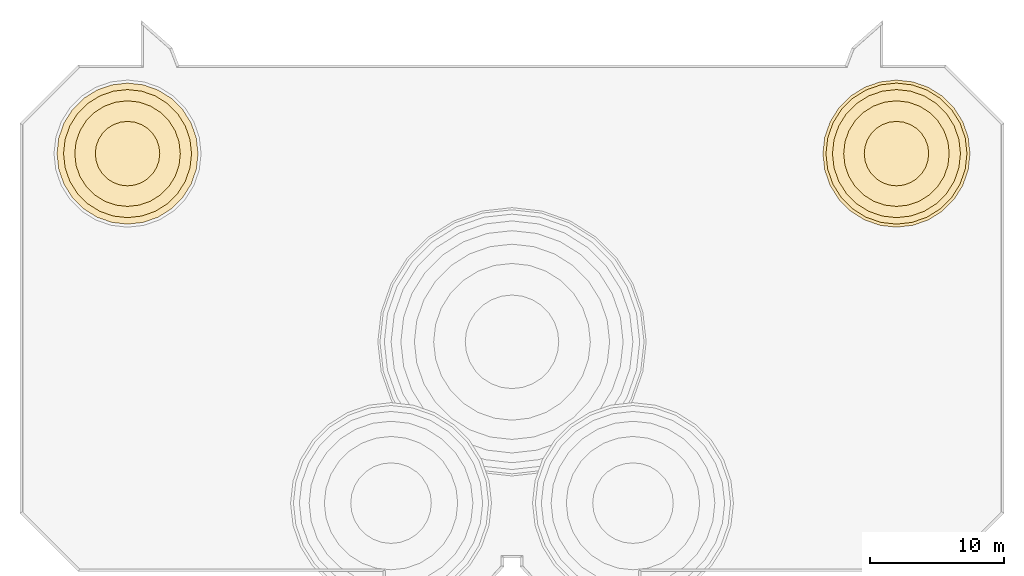
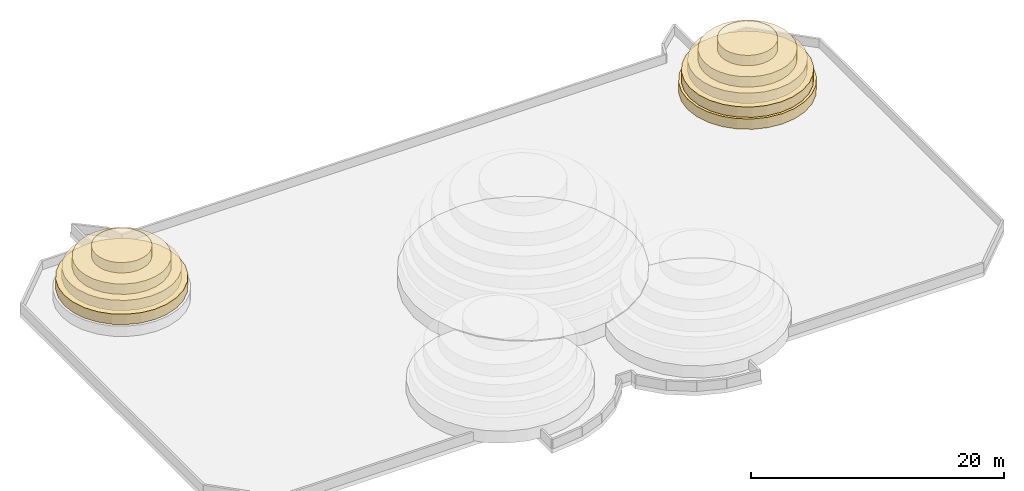
# One storey, part 3 of 3: 9 coverings.
"""IFC4 building model written with IfcOpenShell, lengths in metres."""

import ifcopenshell
import ifcopenshell.guid

model = None  # the IFC model being written
_history = None  # IfcOwnerHistory: only IFC2X3 demands one
_inside = {}  # id of a spatial element -> (the spatial element, [elements in it])
_under = {}  # id of a project, library or spatial element -> (it, [spatial elements below it])
_declared = {}  # id of a project -> (the project, [libraries it declares])
_typed = {}  # id of a type object -> (the type object, [elements of that type])
_made_of = {}  # id of a material, layer set ... -> (it, [elements and type objects made of it])


def new_model(schema):
    """Start an empty IFC model of exactly this schema.

    Asked for "IFC4X3", IfcOpenShell would pick the latest addendum, in which some entities
    have other attributes; the version numbers below select the first issue.
    IFC2X3 requires an IfcOwnerHistory on every rooted entity: one is made here for all.
    """
    global model, _history
    if schema == "IFC4X3":
        model = ifcopenshell.file(schema_version=(4, 3, 0, 0))
    else:
        model = ifcopenshell.file(schema=schema)
    _inside.clear()
    _under.clear()
    _declared.clear()
    _typed.clear()
    _made_of.clear()
    _history = None
    if model.schema == "IFC2X3":
        org = make("IfcOrganization", Name="unknown")
        user = make(
            "IfcPersonAndOrganization",
            ThePerson=make("IfcPerson", FamilyName="unknown"),
            TheOrganization=org,
        )
        app = make(
            "IfcApplication",
            ApplicationDeveloper=org,
            Version="unknown",
            ApplicationFullName="unknown",
            ApplicationIdentifier="unknown",
        )
        _history = make(
            "IfcOwnerHistory",
            OwningUser=user,
            OwningApplication=app,
            ChangeAction="ADDED",
            CreationDate=0,
        )
    return model


def make(cls, **values):
    """One entity of the class cls with the attributes given. An attribute that is None is left unset."""
    return model.create_entity(
        cls, **{name: value for name, value in values.items() if value is not None}
    )


def rooted(cls, **values):
    """An entity with a GlobalId (a new one), such as an element, a storey or a relation."""
    return make(cls, GlobalId=ifcopenshell.guid.new(), OwnerHistory=_history, **values)


def si_unit(unit_type, name, prefix=None):
    """IfcSIUnit, for example si_unit("LENGTHUNIT", "METRE", prefix="MILLI")."""
    return make("IfcSIUnit", UnitType=unit_type, Prefix=prefix, Name=name)


def assignment(units):
    """IfcUnitAssignment: the units of a project."""
    return None if units is None else make("IfcUnitAssignment", Units=units)


def point(xyz):
    """IfcCartesianPoint."""
    return None if xyz is None else make("IfcCartesianPoint", Coordinates=xyz)


def direction(xyz):
    """IfcDirection."""
    return None if xyz is None else make("IfcDirection", DirectionRatios=xyz)


def frame(location, z_axis=None, x_axis=None):
    """IfcAxis2Placement3D, a coordinate frame: its origin and axes. An axis left out is left unset."""
    return make(
        "IfcAxis2Placement3D",
        Location=point(location),
        Axis=direction(z_axis),
        RefDirection=direction(x_axis),
    )


def origin():
    """The frame at (0, 0, 0) with its axes left unset."""
    return frame((0.0, 0.0, 0.0))


def place(relative_to, where):
    """IfcLocalPlacement: puts the frame where relative to a parent placement (None: the world)."""
    return make(
        "IfcLocalPlacement", PlacementRelTo=relative_to, RelativePlacement=where
    )


def context(
    kind, dimensions, precision=None, world=None, true_north=None, identifier=None
):
    """IfcGeometricRepresentationContext, for example the 3D "Model" context."""
    return make(
        "IfcGeometricRepresentationContext",
        ContextIdentifier=identifier,
        ContextType=kind,
        CoordinateSpaceDimension=dimensions,
        Precision=precision,
        WorldCoordinateSystem=world,
        TrueNorth=true_north,
    )


def subcontext(parent, identifier, kind, view, scale=None):
    """IfcGeometricRepresentationSubContext, for example "Body" below "Model"."""
    return make(
        "IfcGeometricRepresentationSubContext",
        ContextIdentifier=identifier,
        ContextType=kind,
        ParentContext=parent,
        TargetScale=scale,
        TargetView=view,
    )


def project(units=None, contexts=None):
    """IfcProject with its units and contexts."""
    return rooted(
        "IfcProject",
        Name="project",
        RepresentationContexts=contexts,
        UnitsInContext=assignment(units),
    )


def spatial(cls, under=None, at=None, **own):
    """A site, building, storey or space (cls), placed at a placement, below another one or the project."""
    s = rooted(cls, ObjectPlacement=at, **own)
    if under is not None:
        _under.setdefault(under.id(), (under, []))[1].append(s)
    return s


def polyline(points):
    """IfcPolyline through the points."""
    return make("IfcPolyline", Points=[point(p) for p in points])


def outline(outer, holes=None, kind="AREA"):
    """IfcArbitraryClosedProfileDef: a profile drawn as a closed curve; with holes, ...WithVoids."""
    if holes is None:
        return make("IfcArbitraryClosedProfileDef", ProfileType=kind, OuterCurve=outer)
    return make(
        "IfcArbitraryProfileDefWithVoids",
        ProfileType=kind,
        OuterCurve=outer,
        InnerCurves=holes,
    )


def extrude(swept, where, along, depth):
    """IfcExtrudedAreaSolid: the profile swept, set in the frame where, extruded along a direction by depth."""
    return make(
        "IfcExtrudedAreaSolid",
        SweptArea=swept,
        Position=where,
        ExtrudedDirection=direction(along),
        Depth=depth,
    )


def shape(context_of_items, identifier, shape_type, items):
    """IfcShapeRepresentation: the items that make up one representation, for example the "Body"."""
    return make(
        "IfcShapeRepresentation",
        ContextOfItems=context_of_items,
        RepresentationIdentifier=identifier,
        RepresentationType=shape_type,
        Items=items,
    )


def source(mapping_origin, context_of_items, identifier, shape_type, items):
    """IfcRepresentationMap: a shape defined once, which mapped items show again and again."""
    return make(
        "IfcRepresentationMap",
        MappingOrigin=mapping_origin,
        MappedRepresentation=shape(context_of_items, identifier, shape_type, items),
    )


def transform(
    local_origin,
    x_axis=None,
    y_axis=None,
    z_axis=None,
    scale=None,
    scale2=None,
    scale3=None,
    uniform=True,
):
    """IfcCartesianTransformationOperator3D, or its non-uniform kind. x_axis, y_axis, z_axis: its Axis1, 2, 3."""
    if uniform:
        return make(
            "IfcCartesianTransformationOperator3D",
            Axis1=direction(x_axis),
            Axis2=direction(y_axis),
            LocalOrigin=point(local_origin),
            Scale=scale,
            Axis3=direction(z_axis),
        )
    return make(
        "IfcCartesianTransformationOperator3DnonUniform",
        Axis1=direction(x_axis),
        Axis2=direction(y_axis),
        LocalOrigin=point(local_origin),
        Scale=scale,
        Axis3=direction(z_axis),
        Scale2=scale2,
        Scale3=scale3,
    )


def mapped(mapping_source, mapping_target):
    """IfcMappedItem: shows the shape of a source again, moved by a transform."""
    return make(
        "IfcMappedItem", MappingSource=mapping_source, MappingTarget=mapping_target
    )


def material(Name=None, Category=None):
    """IfcMaterial."""
    return make("IfcMaterial", Name=Name, Category=Category)


def layer(
    of_material, thickness, ventilated=None, Name=None, Category=None, Priority=None
):
    """IfcMaterialLayer: one layer of a wall or slab, of a material (None: an air gap)."""
    return make(
        "IfcMaterialLayer",
        Material=of_material,
        LayerThickness=thickness,
        IsVentilated=ventilated,
        Name=Name,
        Category=Category,
        Priority=Priority,
    )


def layer_set(layers, Name=None):
    """IfcMaterialLayerSet."""
    return make("IfcMaterialLayerSet", MaterialLayers=layers, LayerSetName=Name)


def made_of(thing, what):
    """Note that an element or type object is made of a material, layer set ...; save() writes the relation."""
    if what is not None:
        _made_of.setdefault(what.id(), (what, []))[1].append(thing)
    return thing


def type_object(cls, material=None, **own):
    """A type object (cls), such as IfcWallType, which elements share."""
    return made_of(rooted(cls, **own), material)


def element(
    cls,
    number,
    at=None,
    inside=None,
    cuts=None,
    type_object=None,
    material=None,
    context=None,
    identifier="Body",
    shape_type=None,
    held_by="IfcProductDefinitionShape",
    body=None,
    shapes=None,
    **own,
):
    """One element of the class cls, such as IfcWall. Its Tag is "e" and its number.

    at: its placement. inside: the storey or other place that contains it. cuts: it is an
    opening in that element (IfcRelVoidsElement). A single representation is given by context,
    identifier, shape_type and body (its items); several are given by shapes. held_by: the class
    of the entity that holds the representations. save() writes the other relations.
    """
    e = rooted(cls, Tag="e%d" % number, ObjectPlacement=at, **own)
    if body is not None:
        shapes = [shape(context, identifier, shape_type, body)]
    if shapes is not None:
        e.Representation = make(held_by, Representations=shapes)
    if inside is not None:
        _inside.setdefault(inside.id(), (inside, []))[1].append(e)
    if cuts is not None:
        rooted(
            "IfcRelVoidsElement", RelatingBuildingElement=cuts, RelatedOpeningElement=e
        )
    if type_object is not None:
        _typed.setdefault(type_object.id(), (type_object, []))[1].append(e)
    return made_of(e, material)


def aggregate(whole, parts):
    """IfcRelAggregates: a whole, such as a stair, and the parts it consists of."""
    return rooted("IfcRelAggregates", RelatingObject=whole, RelatedObjects=parts)


def save(model, path):
    """Write the relations noted so far, then the file.

    IfcRelAggregates (storeys below a building ...), IfcRelContainedInSpatialStructure (elements
    in a storey), IfcRelDefinesByType, IfcRelAssociatesMaterial and IfcRelDeclares: one each for
    every whole, place, type object, material and project.
    """
    for whole, parts in _under.values():
        aggregate(whole, parts)
    for where, things in _inside.values():
        rooted(
            "IfcRelContainedInSpatialStructure",
            RelatedElements=things,
            RelatingStructure=where,
        )
    for kind, things in _typed.values():
        rooted("IfcRelDefinesByType", RelatedObjects=things, RelatingType=kind)
    for what, things in _made_of.values():
        rooted("IfcRelAssociatesMaterial", RelatedObjects=things, RelatingMaterial=what)
    for by, libraries in _declared.values():
        rooted("IfcRelDeclares", RelatingContext=by, RelatedDefinitions=libraries)
    model.write(path)


model = new_model("IFC4")

# Units and contexts
model_context = context("Model", 3, precision=1e-05, world=origin(), true_north=direction((0.0, 1.0)))
body_context = subcontext(model_context, "Body", "Model", "MODEL_VIEW")
ifc_project = project(units=[si_unit("LENGTHUNIT", "METRE"), si_unit("AREAUNIT", "SQUARE_METRE"), si_unit("VOLUMEUNIT", "CUBIC_METRE"), si_unit("PLANEANGLEUNIT", "RADIAN"), si_unit("MASSUNIT", "GRAM", prefix="KILO")], contexts=[model_context])

# Site, building, storey
site_placement = place(None, origin())
site = spatial("IfcSite", under=ifc_project, at=site_placement, CompositionType="ELEMENT")
building_placement = place(site_placement, origin())
building = spatial("IfcBuilding", under=site, at=building_placement, Name="Vanashikhar Sky Hotel", CompositionType="ELEMENT")
storey_placement = place(building_placement, frame((0.0, 0.0, 339.300048828125)))
storey = spatial("IfcBuildingStorey", under=building, at=storey_placement, Name="ROOF", CompositionType="ELEMENT", Elevation=339.300048828125)

# Coverings
ifc_material = material(Name="Terracotta roofing tile", Category="masonry")
ifc_layer = layer(ifc_material, 1.0)
ifc_layer_set = layer_set([ifc_layer], Name="Crown peak shell")
covering_type = type_object("IfcCoveringType", Name="Crown peak shell", PredefinedType="CLADDING", material=ifc_layer_set)
shared_shape_1 = source(origin(), body_context, "Body", "SweptSolid", [
    extrude(outline(polyline([(27.046630859375, 36.0), (26.9150390625, 37.16748046875), (26.527099609375, 38.2763671875), (25.902099609375, 39.271240234375), (25.0712890625, 40.10205078125), (24.076416015625, 40.72705078125), (22.967529296875, 41.114990234375), (21.800048828125, 41.24658203125), (20.632568359375, 41.114990234375), (19.523681640625, 40.72705078125), (18.52880859375, 40.10205078125), (17.697998046875, 39.271240234375), (17.072998046875, 38.2763671875), (16.684814453125, 37.16748046875), (16.55322265625, 36.0), (16.684814453125, 34.83251953125), (17.072998046875, 33.7236328125), (17.697998046875, 32.728759765625), (18.52880859375, 31.89794921875), (19.523681640625, 31.27294921875), (20.632568359375, 30.885009765625), (21.800048828125, 30.75341796875), (22.967529296875, 30.885009765625), (24.076416015625, 31.27294921875), (25.0712890625, 31.89794921875), (25.902099609375, 32.728759765625), (26.527099609375, 33.7236328125), (26.9150390625, 34.83251953125), (27.046630859375, 36.0)])), origin(), (0.0, 0.0, 1.0), 1.0),
])
covering_1_placement = place(storey_placement, frame((0.0, 0.0, 1.4599609375)))
element("IfcCovering", 1, at=covering_1_placement, inside=storey, type_object=covering_type, Name="Crown peak shell", PredefinedType="CLADDING", context=body_context, shape_type="MappedRepresentation", body=[
    mapped(shared_shape_1, transform((0.0, 0.0, 0.0), scale=1.0)),
])
shared_shape_2 = source(origin(), body_context, "Body", "SweptSolid", [
    extrude(outline(polyline([(26.56298828125, 36.0), (26.443603515625, 37.059814453125), (26.09130859375, 38.066650390625), (25.52392578125, 38.9697265625), (24.769775390625, 39.72412109375), (23.86669921875, 40.29150390625), (22.85986328125, 40.643798828125), (21.800048828125, 40.76318359375), (20.739990234375, 40.643798828125), (19.7333984375, 40.29150390625), (18.830078125, 39.72412109375), (18.075927734375, 38.9697265625), (17.508544921875, 38.066650390625), (17.15625, 37.059814453125), (17.036865234375, 36.0), (17.15625, 34.940185546875), (17.508544921875, 33.933349609375), (18.075927734375, 33.0302734375), (18.830078125, 32.27587890625), (19.7333984375, 31.70849609375), (20.739990234375, 31.356201171875), (21.800048828125, 31.23681640625), (22.85986328125, 31.356201171875), (23.86669921875, 31.70849609375), (24.769775390625, 32.27587890625), (25.52392578125, 33.0302734375), (26.09130859375, 33.933349609375), (26.443603515625, 34.940185546875), (26.56298828125, 36.0)])), origin(), (0.0, 0.0, 1.0), 1.0),
])
covering_2_placement = place(storey_placement, frame((0.0, 0.0, 2.4599609375)))
element("IfcCovering", 2, at=covering_2_placement, inside=storey, type_object=covering_type, Name="Crown peak shell", PredefinedType="CLADDING", context=body_context, shape_type="MappedRepresentation", body=[
    mapped(shared_shape_2, transform((0.0, 0.0, 0.0), scale=1.0)),
])
shared_shape_3 = source(origin(), body_context, "Body", "SweptSolid", [
    extrude(outline(polyline([(25.727783203125, 36.0), (25.62939453125, 36.8740234375), (25.3388671875, 37.7041015625), (24.870849609375, 38.448974609375), (24.248779296875, 39.07080078125), (23.504150390625, 39.538818359375), (22.674072265625, 39.829345703125), (21.800048828125, 39.927734375), (20.926025390625, 39.829345703125), (20.095703125, 39.538818359375), (19.35107421875, 39.07080078125), (18.72900390625, 38.448974609375), (18.26123046875, 37.7041015625), (17.970703125, 36.8740234375), (17.872314453125, 36.0), (17.970703125, 35.1259765625), (18.26123046875, 34.2958984375), (18.72900390625, 33.551025390625), (19.35107421875, 32.92919921875), (20.095703125, 32.461181640625), (20.926025390625, 32.170654296875), (21.800048828125, 32.072265625), (22.674072265625, 32.170654296875), (23.504150390625, 32.461181640625), (24.248779296875, 32.92919921875), (24.870849609375, 33.551025390625), (25.3388671875, 34.2958984375), (25.62939453125, 35.1259765625), (25.727783203125, 36.0)])), origin(), (0.0, 0.0, 1.0), 1.0),
])
covering_3_placement = place(storey_placement, frame((0.0, 0.0, 3.4599609375)))
element("IfcCovering", 3, at=covering_3_placement, inside=storey, type_object=covering_type, Name="Crown peak shell", PredefinedType="CLADDING", context=body_context, shape_type="MappedRepresentation", body=[
    mapped(shared_shape_3, transform((0.0, 0.0, 0.0), scale=1.0)),
])
shared_shape_4 = source(origin(), body_context, "Body", "SweptSolid", [
    extrude(outline(polyline([(24.197509765625, 36.0), (24.13720703125, 36.533447265625), (23.9599609375, 37.040283203125), (23.67431640625, 37.494873046875), (23.294921875, 37.87451171875), (22.840087890625, 38.159912109375), (22.33349609375, 38.33740234375), (21.800048828125, 38.3974609375), (21.2666015625, 38.33740234375), (20.759765625, 38.159912109375), (20.30517578125, 37.87451171875), (19.925537109375, 37.494873046875), (19.639892578125, 37.040283203125), (19.462646484375, 36.533447265625), (19.402587890625, 36.0), (19.462646484375, 35.466552734375), (19.639892578125, 34.959716796875), (19.925537109375, 34.505126953125), (20.30517578125, 34.12548828125), (20.759765625, 33.840087890625), (21.2666015625, 33.66259765625), (21.800048828125, 33.6025390625), (22.33349609375, 33.66259765625), (22.840087890625, 33.840087890625), (23.294921875, 34.12548828125), (23.67431640625, 34.505126953125), (23.9599609375, 34.959716796875), (24.13720703125, 35.466552734375), (24.197509765625, 36.0)])), origin(), (0.0, 0.0, 1.0), 1.0),
])
covering_4_placement = place(storey_placement, frame((0.0, 0.0, 4.4599609375)))
element("IfcCovering", 4, at=covering_4_placement, inside=storey, type_object=covering_type, Name="Crown peak shell", PredefinedType="CLADDING", context=body_context, shape_type="MappedRepresentation", body=[
    mapped(shared_shape_4, transform((0.0, 0.0, 0.0), scale=1.0)),
])
shared_shape_5 = source(origin(), body_context, "Body", "SweptSolid", [
    extrude(outline(polyline([(84.472412109375, 36.0), (84.335205078125, 37.2177734375), (83.930419921875, 38.37451171875), (83.278564453125, 39.412109375), (82.412109375, 40.278564453125), (81.37451171875, 40.930419921875), (80.2177734375, 41.335205078125), (79.0, 41.472412109375), (77.7822265625, 41.335205078125), (76.62548828125, 40.930419921875), (75.587890625, 40.278564453125), (74.721435546875, 39.412109375), (74.069580078125, 38.37451171875), (73.664794921875, 37.2177734375), (73.527587890625, 36.0), (73.664794921875, 34.7822265625), (74.069580078125, 33.62548828125), (74.721435546875, 32.587890625), (75.587890625, 31.721435546875), (76.62548828125, 31.069580078125), (77.7822265625, 30.664794921875), (79.0, 30.527587890625), (80.2177734375, 30.664794921875), (81.37451171875, 31.069580078125), (82.412109375, 31.721435546875), (83.278564453125, 32.587890625), (83.930419921875, 33.62548828125), (84.335205078125, 34.7822265625), (84.472412109375, 36.0)])), origin(), (0.0, 0.0, 1.0), 1.0),
])
covering_5_placement = place(storey_placement, frame((0.0, 0.0, 0.4599609375)))
element("IfcCovering", 5, at=covering_5_placement, inside=storey, type_object=covering_type, Name="Crown peak shell", PredefinedType="CLADDING", context=body_context, shape_type="MappedRepresentation", body=[
    mapped(shared_shape_5, transform((0.0, 0.0, 0.0), scale=1.0)),
])
shared_shape_6 = source(origin(), body_context, "Body", "SweptSolid", [
    extrude(outline(polyline([(84.24658203125, 36.0), (84.114990234375, 37.16748046875), (83.72705078125, 38.2763671875), (83.10205078125, 39.271240234375), (82.271240234375, 40.10205078125), (81.2763671875, 40.72705078125), (80.16748046875, 41.114990234375), (79.0, 41.24658203125), (77.83251953125, 41.114990234375), (76.7236328125, 40.72705078125), (75.728759765625, 40.10205078125), (74.89794921875, 39.271240234375), (74.27294921875, 38.2763671875), (73.885009765625, 37.16748046875), (73.75341796875, 36.0), (73.885009765625, 34.83251953125), (74.27294921875, 33.7236328125), (74.89794921875, 32.728759765625), (75.728759765625, 31.89794921875), (76.7236328125, 31.27294921875), (77.83251953125, 30.885009765625), (79.0, 30.75341796875), (80.16748046875, 30.885009765625), (81.2763671875, 31.27294921875), (82.271240234375, 31.89794921875), (83.10205078125, 32.728759765625), (83.72705078125, 33.7236328125), (84.114990234375, 34.83251953125), (84.24658203125, 36.0)])), origin(), (0.0, 0.0, 1.0), 1.0),
])
covering_6_placement = place(storey_placement, frame((0.0, 0.0, 1.4599609375)))
element("IfcCovering", 6, at=covering_6_placement, inside=storey, type_object=covering_type, Name="Crown peak shell", PredefinedType="CLADDING", context=body_context, shape_type="MappedRepresentation", body=[
    mapped(shared_shape_6, transform((0.0, 0.0, 0.0), scale=1.0)),
])
shared_shape_7 = source(origin(), body_context, "Body", "SweptSolid", [
    extrude(outline(polyline([(83.76318359375, 36.0), (83.643798828125, 37.059814453125), (83.29150390625, 38.066650390625), (82.72412109375, 38.9697265625), (81.9697265625, 39.72412109375), (81.066650390625, 40.29150390625), (80.059814453125, 40.643798828125), (79.0, 40.76318359375), (77.940185546875, 40.643798828125), (76.933349609375, 40.29150390625), (76.0302734375, 39.72412109375), (75.27587890625, 38.9697265625), (74.70849609375, 38.066650390625), (74.356201171875, 37.059814453125), (74.23681640625, 36.0), (74.356201171875, 34.940185546875), (74.70849609375, 33.933349609375), (75.27587890625, 33.0302734375), (76.0302734375, 32.27587890625), (76.933349609375, 31.70849609375), (77.940185546875, 31.356201171875), (79.0, 31.23681640625), (80.059814453125, 31.356201171875), (81.066650390625, 31.70849609375), (81.9697265625, 32.27587890625), (82.72412109375, 33.0302734375), (83.29150390625, 33.933349609375), (83.643798828125, 34.940185546875), (83.76318359375, 36.0)])), origin(), (0.0, 0.0, 1.0), 1.0),
])
covering_7_placement = place(storey_placement, frame((0.0, 0.0, 2.4599609375)))
element("IfcCovering", 7, at=covering_7_placement, inside=storey, type_object=covering_type, Name="Crown peak shell", PredefinedType="CLADDING", context=body_context, shape_type="MappedRepresentation", body=[
    mapped(shared_shape_7, transform((0.0, 0.0, 0.0), scale=1.0)),
])
shared_shape_8 = source(origin(), body_context, "Body", "SweptSolid", [
    extrude(outline(polyline([(82.927734375, 36.0), (82.829345703125, 36.8740234375), (82.538818359375, 37.7041015625), (82.07080078125, 38.448974609375), (81.448974609375, 39.07080078125), (80.7041015625, 39.538818359375), (79.8740234375, 39.829345703125), (79.0, 39.927734375), (78.1259765625, 39.829345703125), (77.2958984375, 39.538818359375), (76.551025390625, 39.07080078125), (75.92919921875, 38.448974609375), (75.461181640625, 37.7041015625), (75.170654296875, 36.8740234375), (75.072265625, 36.0), (75.170654296875, 35.1259765625), (75.461181640625, 34.2958984375), (75.92919921875, 33.551025390625), (76.551025390625, 32.92919921875), (77.2958984375, 32.461181640625), (78.1259765625, 32.170654296875), (79.0, 32.072265625), (79.8740234375, 32.170654296875), (80.7041015625, 32.461181640625), (81.448974609375, 32.92919921875), (82.07080078125, 33.551025390625), (82.538818359375, 34.2958984375), (82.829345703125, 35.1259765625), (82.927734375, 36.0)])), origin(), (0.0, 0.0, 1.0), 1.0),
])
covering_8_placement = place(storey_placement, frame((0.0, 0.0, 3.4599609375)))
element("IfcCovering", 8, at=covering_8_placement, inside=storey, type_object=covering_type, Name="Crown peak shell", PredefinedType="CLADDING", context=body_context, shape_type="MappedRepresentation", body=[
    mapped(shared_shape_8, transform((0.0, 0.0, 0.0), scale=1.0)),
])
shared_shape_9 = source(origin(), body_context, "Body", "SweptSolid", [
    extrude(outline(polyline([(81.3974609375, 36.0), (81.33740234375, 36.533447265625), (81.159912109375, 37.040283203125), (80.87451171875, 37.494873046875), (80.494873046875, 37.87451171875), (80.040283203125, 38.159912109375), (79.533447265625, 38.33740234375), (79.0, 38.3974609375), (78.466552734375, 38.33740234375), (77.959716796875, 38.159912109375), (77.505126953125, 37.87451171875), (77.12548828125, 37.494873046875), (76.840087890625, 37.040283203125), (76.66259765625, 36.533447265625), (76.6025390625, 36.0), (76.66259765625, 35.466552734375), (76.840087890625, 34.959716796875), (77.12548828125, 34.505126953125), (77.505126953125, 34.12548828125), (77.959716796875, 33.840087890625), (78.466552734375, 33.66259765625), (79.0, 33.6025390625), (79.533447265625, 33.66259765625), (80.040283203125, 33.840087890625), (80.494873046875, 34.12548828125), (80.87451171875, 34.505126953125), (81.159912109375, 34.959716796875), (81.33740234375, 35.466552734375), (81.3974609375, 36.0)])), origin(), (0.0, 0.0, 1.0), 1.0),
])
covering_9_placement = place(storey_placement, frame((0.0, 0.0, 4.4599609375)))
element("IfcCovering", 9, at=covering_9_placement, inside=storey, type_object=covering_type, Name="Crown peak shell", PredefinedType="CLADDING", context=body_context, shape_type="MappedRepresentation", body=[
    mapped(shared_shape_9, transform((0.0, 0.0, 0.0), scale=1.0)),
])

save(model, "model.ifc")
